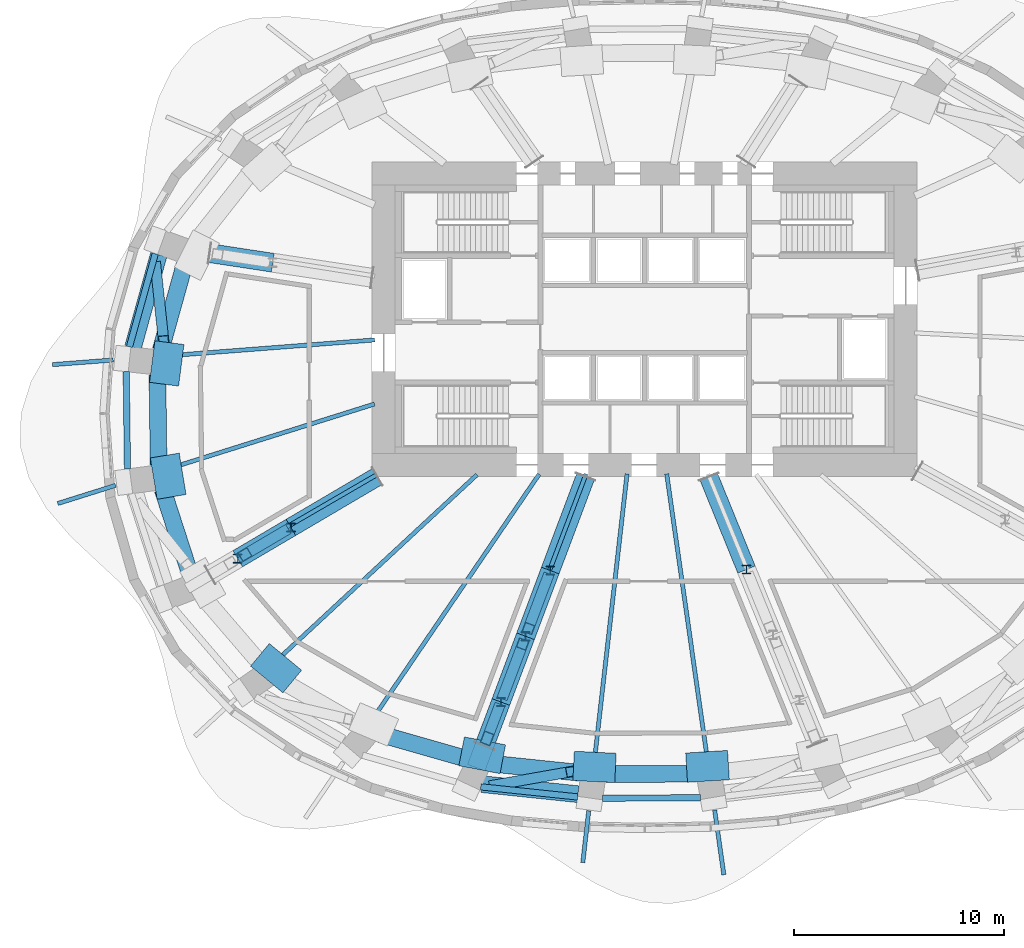
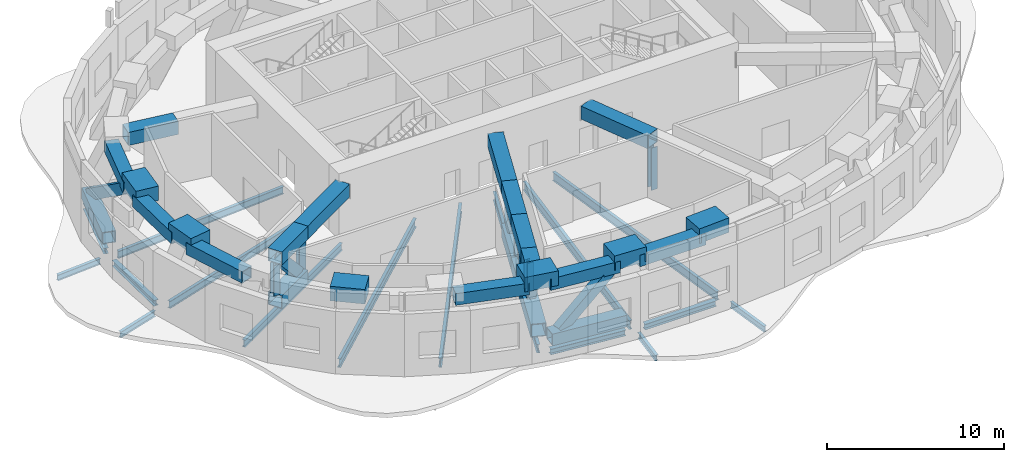
# One storey, part 2 of 11: 32 members, 22 beams.
"""IFC4 building model written with IfcOpenShell, lengths in metres."""

from ifc_helpers import new_model, si_unit, direction, frame, origin, origin_2d, place, context, subcontext, project, spatial, rectangle, hollow_rectangle, i_section, extrude, material, material_profile, profile_set, type_object, element, save


model = new_model("IFC4")

# Units and contexts
model_context = context("Model", 3, precision=1e-05, world=origin(), true_north=direction((0.0, 1.0)))
body_context = subcontext(model_context, "Body", "Model", "MODEL_VIEW")
ifc_project = project(units=[si_unit("LENGTHUNIT", "METRE"), si_unit("AREAUNIT", "SQUARE_METRE"), si_unit("VOLUMEUNIT", "CUBIC_METRE"), si_unit("PLANEANGLEUNIT", "RADIAN"), si_unit("MASSUNIT", "GRAM", prefix="KILO")], contexts=[model_context])

# Site, building, storey
site_placement = place(None, origin())
site = spatial("IfcSite", under=ifc_project, at=site_placement, CompositionType="ELEMENT")
building_placement = place(site_placement, origin())
building = spatial("IfcBuilding", under=site, at=building_placement, Name="Rubra Terraces Tower", CompositionType="ELEMENT")
storey_placement = place(building_placement, frame((0.0, 0.0, 121.199951171875)))
storey = spatial("IfcBuildingStorey", under=building, at=storey_placement, Name="L29", CompositionType="ELEMENT", Elevation=121.199951171875)

# Members
ifc_material_1 = material(Name="Steel Q355B", Category="steel")
ifc_material_profile_1 = material_profile(ifc_material_1, hollow_rectangle(XDim=0.800048828125, YDim=0.800048828125, WallThickness=0.0400390625, at=origin_2d()), Name="BOX 800x800x40")
ifc_profile_set_1 = profile_set([ifc_material_profile_1], Name="Steel Q355B")
member_type_1 = type_object("IfcMemberType", Name="BELT TRUSS BOTTOM CHORD R3 BOX 800x800x40", PredefinedType="CHORD", material=ifc_profile_set_1)
member_1_placement = place(storey_placement, frame((-23.18408203125, 7.573974609375, 0.400146484375), z_axis=(-0.267473514627, -0.963565212621, 0.0), x_axis=(0.963565212621, -0.267473514627, 0.0)))
element("IfcMember", 1, at=member_1_placement, inside=storey, type_object=member_type_1, Name="BELT TRUSS CHORD R3", PredefinedType="CHORD", context=body_context, shape_type="SweptSolid", body=[
    extrude(hollow_rectangle(XDim=0.800048828125, YDim=0.800048828125, WallThickness=0.0400390625, at=origin_2d()), origin(), (0.0, 0.0, 1.0), 4.5830078125),
])
member_2_placement = place(storey_placement, frame((-7.76611328125, -17.68310546875, 0.400146484375), z_axis=(0.994567938176, -0.104089463213, 0.0), x_axis=(0.104089463213, 0.994567938176, 0.0)))
element("IfcMember", 2, at=member_2_placement, inside=storey, type_object=member_type_1, Name="BELT TRUSS CHORD R3", PredefinedType="CHORD", context=body_context, shape_type="SweptSolid", body=[
    extrude(hollow_rectangle(XDim=0.800048828125, YDim=0.800048828125, WallThickness=0.0400390625, at=origin_2d()), origin(), (0.0, 0.0, 1.0), 4.611328125),
])
ifc_material_profile_2 = material_profile(ifc_material_1, hollow_rectangle(XDim=0.5, YDim=0.699951171875, WallThickness=0.030029296875, at=origin_2d()), Name="BOX 700x500x30")
ifc_profile_set_2 = profile_set([ifc_material_profile_2], Name="Steel Q355B")
member_type_2 = type_object("IfcMemberType", Name="BELT TRUSS DIAGONAL R3 BOX 700x500x30", PredefinedType="BRACE", material=ifc_profile_set_2)
member_3_placement = place(storey_placement, frame((-23.3310546875, 7.0439453125, 0.699951171875), z_axis=(0.087038196153, -0.818328598764, 0.568122043979), x_axis=(0.994391218611, 0.105764381287, 0.0)))
element("IfcMember", 3, at=member_3_placement, inside=storey, type_object=member_type_2, Name="BELT TRUSS DIAGONAL R3", PredefinedType="BRACE", context=body_context, shape_type="SweptSolid", body=[
    extrude(hollow_rectangle(XDim=0.5, YDim=0.699951171875, WallThickness=0.030029296875, at=origin_2d()), origin(), (0.0, 0.0, 1.0), 4.319580078125),
])
member_4_placement = place(storey_placement, frame((-7.215087890625, -17.740966796875, 0.699951171875), z_axis=(0.822153757418, 0.144911993214, 0.550512228189), x_axis=(-0.173583240462, 0.984819200986, 0.0)))
element("IfcMember", 4, at=member_4_placement, inside=storey, type_object=member_type_2, Name="BELT TRUSS DIAGONAL R3", PredefinedType="BRACE", context=body_context, shape_type="SweptSolid", body=[
    extrude(hollow_rectangle(XDim=0.5, YDim=0.699951171875, WallThickness=0.030029296875, at=origin_2d()), origin(), (0.0, 0.0, 1.0), 4.457763671875),
])
ifc_material_profile_3 = material_profile(ifc_material_1, hollow_rectangle(XDim=0.800048828125, YDim=0.800048828125, WallThickness=0.0400390625, at=origin_2d()), Name="BOX 800x800x40")
ifc_profile_set_3 = profile_set([ifc_material_profile_3], Name="Steel Q355B")
member_type_3 = type_object("IfcMemberType", Name="BELT TRUSS TOP CHORD R3 BOX 800x800x40", PredefinedType="CHORD", material=ifc_profile_set_3)
member_5_placement = place(storey_placement, frame((-21.949951171875, 7.1279296875, 3.4541015625), z_axis=(-0.26783858827, -0.963463798299, 0.0), x_axis=(0.963463798299, -0.26783858827, 0.0)))
element("IfcMember", 5, at=member_5_placement, inside=storey, type_object=member_type_3, Name="BELT TRUSS CHORD R3", PredefinedType="CHORD", context=body_context, shape_type="SweptSolid", body=[
    extrude(hollow_rectangle(XDim=0.800048828125, YDim=0.800048828125, WallThickness=0.0400390625, at=origin_2d()), origin(), (0.0, 0.0, 1.0), 4.267822265625),
])
member_6_placement = place(storey_placement, frame((-23.24609375, 1.837890625, 3.4541015625), z_axis=(0.012861038547, -0.999917293424, 0.0), x_axis=(0.999917293424, 0.012861038547, 0.0)))
element("IfcMember", 6, at=member_6_placement, inside=storey, type_object=member_type_3, Name="BELT TRUSS CHORD R3", PredefinedType="CHORD", context=body_context, shape_type="SweptSolid", body=[
    extrude(hollow_rectangle(XDim=0.800048828125, YDim=0.800048828125, WallThickness=0.0400390625, at=origin_2d()), origin(), (0.0, 0.0, 1.0), 4.2900390625),
])
member_7_placement = place(storey_placement, frame((-22.9990234375, -3.623046875, 3.4541015625), z_axis=(0.308266745871, -0.951299959734, 0.0), x_axis=(0.951299959734, 0.308266745871, 0.0)))
element("IfcMember", 7, at=member_7_placement, inside=storey, type_object=member_type_3, Name="BELT TRUSS CHORD R3", PredefinedType="CHORD", context=body_context, shape_type="SweptSolid", body=[
    extrude(hollow_rectangle(XDim=0.800048828125, YDim=0.800048828125, WallThickness=0.0400390625, at=origin_2d()), origin(), (0.0, 0.0, 1.0), 4.265625),
])
member_8_placement = place(storey_placement, frame((-12.60888671875, -15.300048828125, 3.4541015625), z_axis=(0.961620534716, -0.274382847885, 0.0), x_axis=(0.274382847885, 0.961620534716, 0.0)))
element("IfcMember", 8, at=member_8_placement, inside=storey, type_object=member_type_3, Name="BELT TRUSS CHORD R3", PredefinedType="CHORD", context=body_context, shape_type="SweptSolid", body=[
    extrude(hollow_rectangle(XDim=0.800048828125, YDim=0.800048828125, WallThickness=0.0400390625, at=origin_2d()), origin(), (0.0, 0.0, 1.0), 4.28955078125),
])
member_9_placement = place(storey_placement, frame((-7.31005859375, -16.7041015625, 3.4541015625), z_axis=(0.994645953321, -0.103341315758, 0.0), x_axis=(0.103341315758, 0.994645953321, 0.0)))
element("IfcMember", 9, at=member_9_placement, inside=storey, type_object=member_type_3, Name="BELT TRUSS CHORD R3", PredefinedType="CHORD", context=body_context, shape_type="SweptSolid", body=[
    extrude(hollow_rectangle(XDim=0.800048828125, YDim=0.800048828125, WallThickness=0.0400390625, at=origin_2d()), origin(), (0.0, 0.0, 1.0), 4.294921875),
])
member_10_placement = place(storey_placement, frame((-1.841064453125, -17.20703125, 3.4541015625), z_axis=(0.999988074139, 0.00488380796, 0.0), x_axis=(-0.00488380796, 0.999988074139, 0.0)))
element("IfcMember", 10, at=member_10_placement, inside=storey, type_object=member_type_3, Name="BELT TRUSS CHORD R3", PredefinedType="CHORD", context=body_context, shape_type="SweptSolid", body=[
    extrude(hollow_rectangle(XDim=0.800048828125, YDim=0.800048828125, WallThickness=0.0400390625, at=origin_2d()), origin(), (0.0, 0.0, 1.0), 4.299072265625),
])

# Beams
ifc_material_profile_4 = material_profile(ifc_material_1, i_section(OverallWidth=0.199951171875, OverallDepth=0.39990234375, WebThickness=0.008056640625, FlangeThickness=0.012939453125, at=origin_2d()), Name="HN 400x200x8x13")
ifc_profile_set_4 = profile_set([ifc_material_profile_4], Name="Steel Q355B")
beam_type_1 = type_object("IfcBeamType", Name="CANTILEVER BEAM HN 400x200x8x13", PredefinedType="BEAM", material=ifc_profile_set_4)
beam_1_placement = place(storey_placement, frame((-25.35400390625, 2.552001953125, -0.5), z_axis=(-0.997078655681, -0.076381636441, 0.0), x_axis=(0.076381636441, -0.997078655681, 0.0)))
element("IfcBeam", 11, at=beam_1_placement, inside=storey, type_object=beam_type_1, Name="beam-L29-cant-12", PredefinedType="BEAM", context=body_context, shape_type="SweptSolid", body=[
    extrude(i_section(OverallWidth=0.199951171875, OverallDepth=0.39990234375, WebThickness=0.008056640625, FlangeThickness=0.012939453125, at=origin_2d()), origin(), (0.0, 0.0, 1.0), 2.905517578125),
])
beam_2_placement = place(storey_placement, frame((-25.2470703125, -3.429931640625, -0.5), z_axis=(-0.954045543107, -0.299661645322, 0.0), x_axis=(0.299661645322, -0.954045543107, 0.0)))
element("IfcBeam", 12, at=beam_2_placement, inside=storey, type_object=beam_type_1, Name="beam-L29-cant-13", PredefinedType="BEAM", context=body_context, shape_type="SweptSolid", body=[
    extrude(i_section(OverallWidth=0.199951171875, OverallDepth=0.39990234375, WebThickness=0.008056640625, FlangeThickness=0.012939453125, at=origin_2d()), origin(), (0.0, 0.0, 1.0), 2.886474609375),
])
beam_3_placement = place(storey_placement, frame((-2.669921875, -18.955078125, -0.5), z_axis=(-0.113039698875, -0.993590472216, 0.0), x_axis=(0.993590472216, -0.113039698875, 0.0)))
element("IfcBeam", 13, at=beam_3_placement, inside=storey, type_object=beam_type_1, Name="beam-L29-cant-18", PredefinedType="BEAM", context=body_context, shape_type="SweptSolid", body=[
    extrude(i_section(OverallWidth=0.199951171875, OverallDepth=0.39990234375, WebThickness=0.008056640625, FlangeThickness=0.012939453125, at=origin_2d()), origin(), (0.0, 0.0, 1.0), 2.48583984375),
])
beam_4_placement = place(storey_placement, frame((3.339111328125, -18.926025390625, -0.5), z_axis=(0.141004134559, -0.990009007049, 0.0), x_axis=(0.990009007049, 0.141004134559, 0.0)))
element("IfcBeam", 14, at=beam_4_placement, inside=storey, type_object=beam_type_1, Name="beam-L29-cant-19", PredefinedType="BEAM", context=body_context, shape_type="SweptSolid", body=[
    extrude(i_section(OverallWidth=0.199951171875, OverallDepth=0.39990234375, WebThickness=0.008056640625, FlangeThickness=0.012939453125, at=origin_2d()), origin(), (0.0, 0.0, 1.0), 3.113037109375),
])
ifc_material_profile_5 = material_profile(ifc_material_1, i_section(OverallWidth=0.198974609375, OverallDepth=0.49609375, WebThickness=0.009033203125, FlangeThickness=0.013916015625, at=origin_2d()), Name="HN 496x199x9x14")
ifc_profile_set_5 = profile_set([ifc_material_profile_5], Name="Steel Q355B")
beam_type_2 = type_object("IfcBeamType", Name="FLOOR BEAM HN 496x199x9x14", PredefinedType="BEAM", material=ifc_profile_set_5)
beam_5_placement = place(storey_placement, frame((-24.132080078125, 2.64599609375, -0.5478515625), z_axis=(0.99706491124, 0.076560843604, 0.0), x_axis=(-0.076560843604, 0.99706491124, 0.0)))
element("IfcBeam", 15, at=beam_5_placement, inside=storey, type_object=beam_type_2, Name="beam-L29-floor-12", PredefinedType="BEAM", context=body_context, shape_type="SweptSolid", body=[
    extrude(i_section(OverallWidth=0.198974609375, OverallDepth=0.49609375, WebThickness=0.009033203125, FlangeThickness=0.013916015625, at=origin_2d()), origin(), (0.0, 0.0, 1.0), 11.285400390625),
])
beam_6_placement = place(storey_placement, frame((-24.091064453125, -3.06591796875, -0.5478515625), z_axis=(0.954061815263, 0.299609834046, 0.0), x_axis=(-0.299609834046, 0.954061815263, 0.0)))
element("IfcBeam", 16, at=beam_6_placement, inside=storey, type_object=beam_type_2, Name="beam-L29-floor-13", PredefinedType="BEAM", context=body_context, shape_type="SweptSolid", body=[
    extrude(i_section(OverallWidth=0.198974609375, OverallDepth=0.49609375, WebThickness=0.009033203125, FlangeThickness=0.013916015625, at=origin_2d()), origin(), (0.0, 0.0, 1.0), 11.74462890625),
])
beam_7_placement = place(storey_placement, frame((-22.360107421875, -8.486083984375, -0.5478515625), z_axis=(0.864729170152, 0.502238451623, 0.0), x_axis=(-0.502238451623, 0.864729170152, 0.0)))
element("IfcBeam", 17, at=beam_7_placement, inside=storey, type_object=beam_type_2, Name="beam-L29-floor-14", PredefinedType="BEAM", context=body_context, shape_type="SweptSolid", body=[
    extrude(i_section(OverallWidth=0.198974609375, OverallDepth=0.49609375, WebThickness=0.009033203125, FlangeThickness=0.013916015625, at=origin_2d()), origin(), (0.0, 0.0, 1.0), 11.04296875),
])
ifc_material_profile_6 = material_profile(ifc_material_1, i_section(OverallWidth=0.198974609375, OverallDepth=0.595947265625, WebThickness=0.010009765625, FlangeThickness=0.014892578125, at=origin_2d()), Name="HN 596x199x10x15")
ifc_profile_set_6 = profile_set([ifc_material_profile_6], Name="Steel Q355B")
beam_type_3 = type_object("IfcBeamType", Name="FLOOR BEAM HN 596x199x10x15", PredefinedType="BEAM", material=ifc_profile_set_6)
beam_8_placement = place(storey_placement, frame((-18.64794921875, -12.798095703125, -0.597900390625), z_axis=(0.733104668463, 0.680115832104, 0.0), x_axis=(-0.680115832104, 0.733104668463, 0.0)))
element("IfcBeam", 18, at=beam_8_placement, inside=storey, type_object=beam_type_3, Name="beam-L29-floor-15", PredefinedType="BEAM", context=body_context, shape_type="SweptSolid", body=[
    extrude(i_section(OverallWidth=0.198974609375, OverallDepth=0.595947265625, WebThickness=0.010009765625, FlangeThickness=0.014892578125, at=origin_2d()), origin(), (0.0, 0.0, 1.0), 14.527099609375),
])
beam_9_placement = place(storey_placement, frame((-13.697998046875, -15.6298828125, -0.597900390625), z_axis=(0.562593638313, 0.82673357143, 0.0), x_axis=(-0.82673357143, 0.562593638313, 0.0)))
element("IfcBeam", 19, at=beam_9_placement, inside=storey, type_object=beam_type_3, Name="beam-L29-floor-16", PredefinedType="BEAM", context=body_context, shape_type="SweptSolid", body=[
    extrude(i_section(OverallWidth=0.198974609375, OverallDepth=0.595947265625, WebThickness=0.010009765625, FlangeThickness=0.014892578125, at=origin_2d()), origin(), (0.0, 0.0, 1.0), 15.396728515625),
])
beam_10_placement = place(storey_placement, frame((-8.2060546875, -17.179931640625, -0.597900390625), z_axis=(0.35395819717, 0.935261244068, 0.0), x_axis=(-0.935261244068, 0.35395819717, 0.0)))
element("IfcBeam", 20, at=beam_10_placement, inside=storey, type_object=beam_type_3, Name="beam-L29-floor-17", PredefinedType="BEAM", context=body_context, shape_type="SweptSolid", body=[
    extrude(i_section(OverallWidth=0.198974609375, OverallDepth=0.595947265625, WebThickness=0.010009765625, FlangeThickness=0.014892578125, at=origin_2d()), origin(), (0.0, 0.0, 1.0), 15.28125),
])
beam_11_placement = place(storey_placement, frame((-2.533935546875, -17.760986328125, -0.597900390625), z_axis=(0.113104280783, 0.993583122677, 0.0), x_axis=(-0.993583122677, 0.113104280783, 0.0)))
element("IfcBeam", 21, at=beam_11_placement, inside=storey, type_object=beam_type_3, Name="beam-L29-floor-18", PredefinedType="BEAM", context=body_context, shape_type="SweptSolid", body=[
    extrude(i_section(OverallWidth=0.198974609375, OverallDepth=0.595947265625, WebThickness=0.010009765625, FlangeThickness=0.014892578125, at=origin_2d()), origin(), (0.0, 0.0, 1.0), 14.97607421875),
])
beam_12_placement = place(storey_placement, frame((3.1689453125, -17.73388671875, -0.597900390625), z_axis=(-0.141102399867, 0.989995006428, 0.0), x_axis=(-0.989995006428, -0.141102399867, 0.0)))
element("IfcBeam", 22, at=beam_12_placement, inside=storey, type_object=beam_type_3, Name="beam-L29-floor-19", PredefinedType="BEAM", context=body_context, shape_type="SweptSolid", body=[
    extrude(i_section(OverallWidth=0.198974609375, OverallDepth=0.595947265625, WebThickness=0.010009765625, FlangeThickness=0.014892578125, at=origin_2d()), origin(), (0.0, 0.0, 1.0), 15.0029296875),
])

# Members
ifc_material_profile_7 = material_profile(ifc_material_1, hollow_rectangle(XDim=0.89990234375, YDim=0.89990234375, WallThickness=0.044921875, at=origin_2d()), Name="BOX 900x900x45")
ifc_profile_set_7 = profile_set([ifc_material_profile_7], Name="Steel Q355B")
member_type_4 = type_object("IfcMemberType", Name="OUTRIGGER BOTTOM CHORD R3 BOX 900x900x45", PredefinedType="CHORD", material=ifc_profile_set_7)
member_11_placement = place(storey_placement, frame((-16.8779296875, -5.43505859375, 0.449951171875), z_axis=(-0.86174031598, -0.507349611033, 0.0), x_axis=(0.507349611033, -0.86174031598, 0.0)))
element("IfcMember", 23, at=member_11_placement, inside=storey, type_object=member_type_4, Name="OUTRIGGER TRUSS CHORD R3", PredefinedType="CHORD", context=body_context, shape_type="SweptSolid", body=[
    extrude(hollow_rectangle(XDim=0.89990234375, YDim=0.89990234375, WallThickness=0.044921875, at=origin_2d()), origin(), (0.0, 0.0, 1.0), 2.946533203125),
])
member_12_placement = place(storey_placement, frame((-4.5048828125, -7.492919921875, 0.449951171875), z_axis=(-0.351610441686, -0.936146408046, 0.0), x_axis=(0.936146408046, -0.351610441686, 0.0)))
element("IfcMember", 24, at=member_12_placement, inside=storey, type_object=member_type_4, Name="OUTRIGGER TRUSS CHORD R3", PredefinedType="CHORD", context=body_context, shape_type="SweptSolid", body=[
    extrude(hollow_rectangle(XDim=0.89990234375, YDim=0.89990234375, WallThickness=0.044921875, at=origin_2d()), origin(), (0.0, 0.0, 1.0), 3.350830078125),
])
member_13_placement = place(storey_placement, frame((-5.68310546875, -10.6298828125, 0.449951171875), z_axis=(-0.35161853848, -0.936143366904, 0.0), x_axis=(0.936143366904, -0.35161853848, 0.0)))
element("IfcMember", 25, at=member_13_placement, inside=storey, type_object=member_type_4, Name="OUTRIGGER TRUSS CHORD R3", PredefinedType="CHORD", context=body_context, shape_type="SweptSolid", body=[
    extrude(hollow_rectangle(XDim=0.89990234375, YDim=0.89990234375, WallThickness=0.044921875, at=origin_2d()), origin(), (0.0, 0.0, 1.0), 3.35009765625),
])
member_14_placement = place(storey_placement, frame((-6.861083984375, -13.76611328125, 0.449951171875), z_axis=(-0.351546589072, -0.936170388184, 0.0), x_axis=(0.936170388184, -0.351546589072, 0.0)))
element("IfcMember", 26, at=member_14_placement, inside=storey, type_object=member_type_4, Name="OUTRIGGER TRUSS CHORD R3", PredefinedType="CHORD", context=body_context, shape_type="SweptSolid", body=[
    extrude(hollow_rectangle(XDim=0.89990234375, YDim=0.89990234375, WallThickness=0.044921875, at=origin_2d()), origin(), (0.0, 0.0, 1.0), 3.350830078125),
])
ifc_material_profile_8 = material_profile(ifc_material_1, hollow_rectangle(XDim=0.5, YDim=0.699951171875, WallThickness=0.030029296875, at=origin_2d()), Name="BOX 700x500x30")
ifc_profile_set_8 = profile_set([ifc_material_profile_8], Name="Steel Q355B")
member_type_5 = type_object("IfcMemberType", Name="OUTRIGGER DIAGONAL R3 FALLING BOX 700x500x30", PredefinedType="BRACE", material=ifc_profile_set_8)
member_15_placement = place(storey_placement, frame((-5.823974609375, -11.00390625, 3.01806640625), z_axis=(-0.265339566725, -0.706464790883, -0.656126827353), x_axis=(0.936148138878, -0.351605833392, 0.0)))
element("IfcMember", 27, at=member_15_placement, inside=storey, type_object=member_type_5, Name="OUTRIGGER TRUSS DIAGONAL R3", PredefinedType="BRACE", context=body_context, shape_type="SweptSolid", body=[
    extrude(hollow_rectangle(XDim=0.5, YDim=0.699951171875, WallThickness=0.030029296875, at=origin_2d()), origin(), (0.0, 0.0, 1.0), 3.38037109375),
])
ifc_material_profile_9 = material_profile(ifc_material_1, hollow_rectangle(XDim=0.5, YDim=0.699951171875, WallThickness=0.030029296875, at=origin_2d()), Name="BOX 700x500x30")
ifc_profile_set_9 = profile_set([ifc_material_profile_9], Name="Steel Q355B")
member_type_6 = type_object("IfcMemberType", Name="OUTRIGGER DIAGONAL R3 RISING BOX 700x500x30", PredefinedType="BRACE", material=ifc_profile_set_9)
member_16_placement = place(storey_placement, frame((-17.221923828125, -5.637939453125, 0.800048828125), z_axis=(-0.58802192467, -0.34615542438, 0.731031215666), x_axis=(0.507303375131, -0.861767535697, 0.0)))
element("IfcMember", 28, at=member_16_placement, inside=storey, type_object=member_type_6, Name="OUTRIGGER TRUSS DIAGONAL R3", PredefinedType="BRACE", context=body_context, shape_type="SweptSolid", body=[
    extrude(hollow_rectangle(XDim=0.5, YDim=0.699951171875, WallThickness=0.030029296875, at=origin_2d()), origin(), (0.0, 0.0, 1.0), 3.146240234375),
])
member_17_placement = place(storey_placement, frame((-4.64599609375, -7.867919921875, 0.800048828125), z_axis=(-0.265407265464, -0.706283841711, 0.656294231558), x_axis=(0.93608894307, -0.351763401538, 0.0)))
element("IfcMember", 29, at=member_17_placement, inside=storey, type_object=member_type_6, Name="OUTRIGGER TRUSS DIAGONAL R3", PredefinedType="BRACE", context=body_context, shape_type="SweptSolid", body=[
    extrude(hollow_rectangle(XDim=0.5, YDim=0.699951171875, WallThickness=0.030029296875, at=origin_2d()), origin(), (0.0, 0.0, 1.0), 3.379638671875),
])
member_18_placement = place(storey_placement, frame((-7.001953125, -14.14111328125, 0.800048828125), z_axis=(-0.192723005256, -0.512884443036, 0.836544912923), x_axis=(0.936094144628, -0.351749559193, 0.0)))
element("IfcMember", 30, at=member_18_placement, inside=storey, type_object=member_type_6, Name="OUTRIGGER TRUSS DIAGONAL R3", PredefinedType="BRACE", context=body_context, shape_type="SweptSolid", body=[
    extrude(hollow_rectangle(XDim=0.5, YDim=0.699951171875, WallThickness=0.030029296875, at=origin_2d()), origin(), (0.0, 0.0, 1.0), 2.6513671875),
])
ifc_material_profile_10 = material_profile(ifc_material_1, i_section(OverallWidth=0.405029296875, OverallDepth=0.4140625, WebThickness=0.01806640625, FlangeThickness=0.028076171875, at=origin_2d()), Name="HW 414x405x18x28")
ifc_profile_set_10 = profile_set([ifc_material_profile_10], Name="Steel Q355B")
member_type_7 = type_object("IfcMemberType", Name="OUTRIGGER POST R3 HW 414x405x18x28", PredefinedType="POST", material=ifc_profile_set_10)
member_19_placement = place(storey_placement, frame((-16.8779296875, -5.43505859375, 0.0), z_axis=(0.0, 0.0, 1.0), x_axis=(1.0, 0.0, 0.0)))
element("IfcMember", 31, at=member_19_placement, inside=storey, type_object=member_type_7, Name="OUTRIGGER TRUSS POST R3", PredefinedType="POST", context=body_context, shape_type="SweptSolid", body=[
    extrude(i_section(OverallWidth=0.405029296875, OverallDepth=0.4140625, WebThickness=0.01806640625, FlangeThickness=0.028076171875, at=origin_2d()), origin(), (0.0, 0.0, 1.0), 3.0),
])
member_20_placement = place(storey_placement, frame((-19.4169921875, -6.929931640625, 0.900146484375), z_axis=(0.0, 0.0, 1.0), x_axis=(1.0, 0.0, 0.0)))
element("IfcMember", 32, at=member_20_placement, inside=storey, type_object=member_type_7, Name="OUTRIGGER TRUSS POST R3", PredefinedType="POST", context=body_context, shape_type="SweptSolid", body=[
    extrude(i_section(OverallWidth=0.405029296875, OverallDepth=0.4140625, WebThickness=0.01806640625, FlangeThickness=0.028076171875, at=origin_2d()), origin(), (0.0, 0.0, 1.0), 2.099853515625),
])
member_21_placement = place(storey_placement, frame((-4.5048828125, -7.492919921875, 0.0), z_axis=(0.0, 0.0, 1.0), x_axis=(1.0, 0.0, 0.0)))
element("IfcMember", 33, at=member_21_placement, inside=storey, type_object=member_type_7, Name="OUTRIGGER TRUSS POST R3", PredefinedType="POST", context=body_context, shape_type="SweptSolid", body=[
    extrude(i_section(OverallWidth=0.405029296875, OverallDepth=0.4140625, WebThickness=0.01806640625, FlangeThickness=0.028076171875, at=origin_2d()), origin(), (0.0, 0.0, 1.0), 2.91796875),
])
for number, where, z_axis, x_axis, name in (
    (34, (-5.68310546875, -10.6298828125, 0.900146484375), (0.0, 0.0, 1.0), (1.0, 0.0, 0.0), "OUTRIGGER TRUSS POST R3"),
    (35, (-6.861083984375, -13.76611328125, 0.900146484375), (0.0, 0.0, 1.0), (1.0, 0.0, 0.0), "OUTRIGGER TRUSS POST R3"),
):
    element("IfcMember", number, at=place(storey_placement, frame(where, z_axis=z_axis, x_axis=x_axis)), inside=storey, type_object=member_type_7, Name=name, PredefinedType="POST", context=body_context, shape_type="SweptSolid", body=[
        extrude(i_section(OverallWidth=0.405029296875, OverallDepth=0.4140625, WebThickness=0.01806640625, FlangeThickness=0.028076171875, at=origin_2d()), origin(), (0.0, 0.0, 1.0), 2.017822265625),
    ])
member_22_placement = place(storey_placement, frame((4.85791015625, -7.446044921875, 0.0), z_axis=(0.0, 0.0, 1.0), x_axis=(1.0, 0.0, 0.0)))
element("IfcMember", 36, at=member_22_placement, inside=storey, type_object=member_type_7, Name="OUTRIGGER TRUSS POST R3", PredefinedType="POST", context=body_context, shape_type="SweptSolid", body=[
    extrude(i_section(OverallWidth=0.405029296875, OverallDepth=0.4140625, WebThickness=0.01806640625, FlangeThickness=0.028076171875, at=origin_2d()), origin(), (0.0, 0.0, 1.0), 2.91796875),
])
ifc_material_profile_11 = material_profile(ifc_material_1, hollow_rectangle(XDim=0.89990234375, YDim=0.89990234375, WallThickness=0.044921875, at=origin_2d()), Name="BOX 900x900x45")
ifc_profile_set_11 = profile_set([ifc_material_profile_11], Name="Steel Q355B")
member_type_8 = type_object("IfcMemberType", Name="OUTRIGGER TOP CHORD R3 BOX 900x900x45", PredefinedType="CHORD", material=ifc_profile_set_11)
member_23_placement = place(storey_placement, frame((-17.74609375, 7.194091796875, 3.449951171875), z_axis=(-0.988653669239, 0.150212923215, 0.0), x_axis=(-0.150212923215, -0.988653669239, 0.0)))
element("IfcMember", 37, at=member_23_placement, inside=storey, type_object=member_type_8, Name="OUTRIGGER TRUSS CHORD R3", PredefinedType="CHORD", context=body_context, shape_type="SweptSolid", body=[
    extrude(hollow_rectangle(XDim=0.89990234375, YDim=0.89990234375, WallThickness=0.044921875, at=origin_2d()), origin(), (0.0, 0.0, 1.0), 3.034423828125),
])
member_24_placement = place(storey_placement, frame((-12.76708984375, -3.014892578125, 3.449951171875), z_axis=(-0.861748650758, -0.507335454031, 0.0), x_axis=(0.507335454031, -0.861748650758, 0.0)))
element("IfcMember", 38, at=member_24_placement, inside=storey, type_object=member_type_8, Name="OUTRIGGER TRUSS CHORD R3", PredefinedType="CHORD", context=body_context, shape_type="SweptSolid", body=[
    extrude(hollow_rectangle(XDim=0.89990234375, YDim=0.89990234375, WallThickness=0.044921875, at=origin_2d()), origin(), (0.0, 0.0, 1.0), 4.770263671875),
])
member_25_placement = place(storey_placement, frame((-16.8779296875, -5.43505859375, 3.449951171875), z_axis=(-0.86174031598, -0.507349611033, 0.0), x_axis=(0.507349611033, -0.86174031598, 0.0)))
element("IfcMember", 39, at=member_25_placement, inside=storey, type_object=member_type_8, Name="OUTRIGGER TRUSS CHORD R3", PredefinedType="CHORD", context=body_context, shape_type="SweptSolid", body=[
    extrude(hollow_rectangle(XDim=0.89990234375, YDim=0.89990234375, WallThickness=0.044921875, at=origin_2d()), origin(), (0.0, 0.0, 1.0), 2.946533203125),
])
member_26_placement = place(storey_placement, frame((-2.827880859375, -3.028076171875, 3.3681640625), z_axis=(-0.351617050822, -0.936143925671, 0.0), x_axis=(0.936143925671, -0.351617050822, 0.0)))
element("IfcMember", 40, at=member_26_placement, inside=storey, type_object=member_type_8, Name="OUTRIGGER TRUSS CHORD R3", PredefinedType="CHORD", context=body_context, shape_type="SweptSolid", body=[
    extrude(hollow_rectangle(XDim=0.89990234375, YDim=0.89990234375, WallThickness=0.044921875, at=origin_2d()), origin(), (0.0, 0.0, 1.0), 4.769287109375),
])
member_27_placement = place(storey_placement, frame((-4.5048828125, -7.492919921875, 3.3681640625), z_axis=(-0.351610441686, -0.936146408046, 0.0), x_axis=(0.936146408046, -0.351610441686, 0.0)))
element("IfcMember", 41, at=member_27_placement, inside=storey, type_object=member_type_8, Name="OUTRIGGER TRUSS CHORD R3", PredefinedType="CHORD", context=body_context, shape_type="SweptSolid", body=[
    extrude(hollow_rectangle(XDim=0.89990234375, YDim=0.89990234375, WallThickness=0.044921875, at=origin_2d()), origin(), (0.0, 0.0, 1.0), 3.350830078125),
])
member_28_placement = place(storey_placement, frame((-5.68310546875, -10.6298828125, 3.3681640625), z_axis=(-0.35161853848, -0.936143366904, 0.0), x_axis=(0.936143366904, -0.35161853848, 0.0)))
element("IfcMember", 42, at=member_28_placement, inside=storey, type_object=member_type_8, Name="OUTRIGGER TRUSS CHORD R3", PredefinedType="CHORD", context=body_context, shape_type="SweptSolid", body=[
    extrude(hollow_rectangle(XDim=0.89990234375, YDim=0.89990234375, WallThickness=0.044921875, at=origin_2d()), origin(), (0.0, 0.0, 1.0), 3.35009765625),
])
member_29_placement = place(storey_placement, frame((-6.861083984375, -13.76611328125, 3.3681640625), z_axis=(-0.351785342597, -0.936080697768, 0.0), x_axis=(0.936080697768, -0.351785342597, 0.0)))
element("IfcMember", 43, at=member_29_placement, inside=storey, type_object=member_type_8, Name="OUTRIGGER TRUSS CHORD R3", PredefinedType="CHORD", context=body_context, shape_type="SweptSolid", body=[
    extrude(hollow_rectangle(XDim=0.89990234375, YDim=0.89990234375, WallThickness=0.044921875, at=origin_2d()), origin(), (0.0, 0.0, 1.0), 2.222900390625),
])
member_30_placement = place(storey_placement, frame((3.06103515625, -3.028076171875, 3.3681640625), z_axis=(0.376750485277, -0.926314780106, 0.0), x_axis=(0.926314780106, 0.376750485277, 0.0)))
element("IfcMember", 44, at=member_30_placement, inside=storey, type_object=member_type_8, Name="OUTRIGGER TRUSS CHORD R3", PredefinedType="CHORD", context=body_context, shape_type="SweptSolid", body=[
    extrude(hollow_rectangle(XDim=0.89990234375, YDim=0.89990234375, WallThickness=0.044921875, at=origin_2d()), origin(), (0.0, 0.0, 1.0), 4.769287109375),
])

# Beams
ifc_material_profile_12 = material_profile(ifc_material_1, i_section(OverallWidth=0.300048828125, OverallDepth=0.389892578125, WebThickness=0.010009765625, FlangeThickness=0.01611328125, at=origin_2d()), Name="HM 390x300x10x16")
ifc_profile_set_12 = profile_set([ifc_material_profile_12], Name="Steel Q355B")
beam_type_4 = type_object("IfcBeamType", Name="SPANDREL BEAM HM 390x300x10x16", PredefinedType="SPANDREL", material=ifc_profile_set_12)
beam_13_placement = place(storey_placement, frame((-23.34912109375, 7.6201171875, -0.494873046875), z_axis=(-0.26752901479, -0.963549804756, 0.0), x_axis=(0.963549804756, -0.26752901479, 0.0)))
element("IfcBeam", 45, at=beam_13_placement, inside=storey, type_object=beam_type_4, Name="beam-L29-spandrel-11", PredefinedType="SPANDREL", context=body_context, shape_type="SweptSolid", body=[
    extrude(i_section(OverallWidth=0.300048828125, OverallDepth=0.389892578125, WebThickness=0.010009765625, FlangeThickness=0.01611328125, at=origin_2d()), origin(), (0.0, 0.0, 1.0), 4.60498046875),
])
beam_14_placement = place(storey_placement, frame((-24.735107421875, 1.992919921875, -0.494873046875), z_axis=(0.012537869063, -0.999921397831, 0.0), x_axis=(0.999921397831, 0.012537869063, 0.0)))
element("IfcBeam", 46, at=beam_14_placement, inside=storey, type_object=beam_type_4, Name="beam-L29-spandrel-12", PredefinedType="SPANDREL", context=body_context, shape_type="SweptSolid", body=[
    extrude(i_section(OverallWidth=0.300048828125, OverallDepth=0.389892578125, WebThickness=0.010009765625, FlangeThickness=0.01611328125, at=origin_2d()), origin(), (0.0, 0.0, 1.0), 4.63427734375),
])
beam_15_placement = place(storey_placement, frame((-7.822998046875, -17.81201171875, -0.494873046875), z_axis=(0.994588599148, -0.103891859374, 0.0), x_axis=(0.103891859374, 0.994588599148, 0.0)))
element("IfcBeam", 47, at=beam_15_placement, inside=storey, type_object=beam_type_4, Name="beam-L29-spandrel-17", PredefinedType="SPANDREL", context=body_context, shape_type="SweptSolid", body=[
    extrude(i_section(OverallWidth=0.300048828125, OverallDepth=0.389892578125, WebThickness=0.010009765625, FlangeThickness=0.01611328125, at=origin_2d()), origin(), (0.0, 0.0, 1.0), 4.648193359375),
])
beam_16_placement = place(storey_placement, frame((-2.0009765625, -18.35498046875, -0.494873046875), z_axis=(0.99998885538, 0.004721135025, 0.0), x_axis=(-0.004721135025, 0.99998885538, 0.0)))
element("IfcBeam", 48, at=beam_16_placement, inside=storey, type_object=beam_type_4, Name="beam-L29-spandrel-18", PredefinedType="SPANDREL", context=body_context, shape_type="SweptSolid", body=[
    extrude(i_section(OverallWidth=0.300048828125, OverallDepth=0.389892578125, WebThickness=0.010009765625, FlangeThickness=0.01611328125, at=origin_2d()), origin(), (0.0, 0.0, 1.0), 4.654052734375),
])
ifc_material_2 = material(Name="Concrete C60", Category="concrete")
ifc_material_profile_13 = material_profile(ifc_material_2, rectangle(XDim=1.39990234375, YDim=1.0, at=origin_2d()), Name="RC 1400x1000")
ifc_profile_set_13 = profile_set([ifc_material_profile_13], Name="Concrete C60")
beam_type_5 = type_object("IfcBeamType", Name="TRANSFER NODE RC 1400x1000 C60", PredefinedType="BEAM", material=ifc_profile_set_13)
beam_17_placement = place(storey_placement, frame((-22.673095703125, 3.381103515625, 3.800048828125), z_axis=(-0.128854033587, -0.99166357099, 0.0), x_axis=(0.99166357099, -0.128854033587, 0.0)))
element("IfcBeam", 49, at=beam_17_placement, inside=storey, type_object=beam_type_5, Name="node-L29-hi-12", PredefinedType="BEAM", context=body_context, shape_type="SweptSolid", body=[
    extrude(rectangle(XDim=1.39990234375, YDim=1.0, at=origin_2d()), origin(), (0.0, 0.0, 1.0), 2.000732421875),
])
for number, where, z_axis, x_axis, name in (
    (50, (-22.89599609375, -2.006103515625, 3.800048828125), (0.161964028615, -0.986796662659, 0.0), (0.986796662659, 0.161964028615, 0.0), "node-L29-hi-13"),
    (51, (-18.35498046875, -11.513916015625, 3.800048828125), (0.770875760174, -0.636985527604, 0.0), (0.636985527604, 0.770875760174, 0.0), "node-L29-hi-15"),
):
    element("IfcBeam", number, at=place(storey_placement, frame(where, z_axis=z_axis, x_axis=x_axis)), inside=storey, type_object=beam_type_5, Name=name, PredefinedType="BEAM", context=body_context, shape_type="SweptSolid", body=[
        extrude(rectangle(XDim=1.39990234375, YDim=1.0, at=origin_2d()), origin(), (0.0, 0.0, 1.0), 2.000244140625),
    ])
beam_18_placement = place(storey_placement, frame((-8.73291015625, -16.117919921875, 3.800048828125), z_axis=(0.981959398212, -0.189091883122, 0.0), x_axis=(0.189091883122, 0.981959398212, 0.0)))
element("IfcBeam", 52, at=beam_18_placement, inside=storey, type_object=beam_type_5, Name="node-L29-hi-17", PredefinedType="BEAM", context=body_context, shape_type="SweptSolid", body=[
    extrude(rectangle(XDim=1.39990234375, YDim=1.0, at=origin_2d()), origin(), (0.0, 0.0, 1.0), 2.0),
])
beam_19_placement = place(storey_placement, frame((-3.39111328125, -16.81298828125, 3.800048828125), z_axis=(0.998801752935, -0.048939333202, 0.0), x_axis=(0.048939333202, 0.998801752935, 0.0)))
element("IfcBeam", 53, at=beam_19_placement, inside=storey, type_object=beam_type_5, Name="node-L29-hi-18", PredefinedType="BEAM", context=body_context, shape_type="SweptSolid", body=[
    extrude(rectangle(XDim=1.39990234375, YDim=1.0, at=origin_2d()), origin(), (0.0, 0.0, 1.0), 2.00048828125),
])
beam_20_placement = place(storey_placement, frame((2.0009765625, -16.89794921875, 3.800048828125), z_axis=(0.998075311589, 0.062013485603, 0.0), x_axis=(-0.062013485603, 0.998075311589, 0.0)))
element("IfcBeam", 54, at=beam_20_placement, inside=storey, type_object=beam_type_5, Name="node-L29-hi-19", PredefinedType="BEAM", context=body_context, shape_type="SweptSolid", body=[
    extrude(rectangle(XDim=1.39990234375, YDim=1.0, at=origin_2d()), origin(), (0.0, 0.0, 1.0), 2.0),
])

save(model, "model.ifc")
